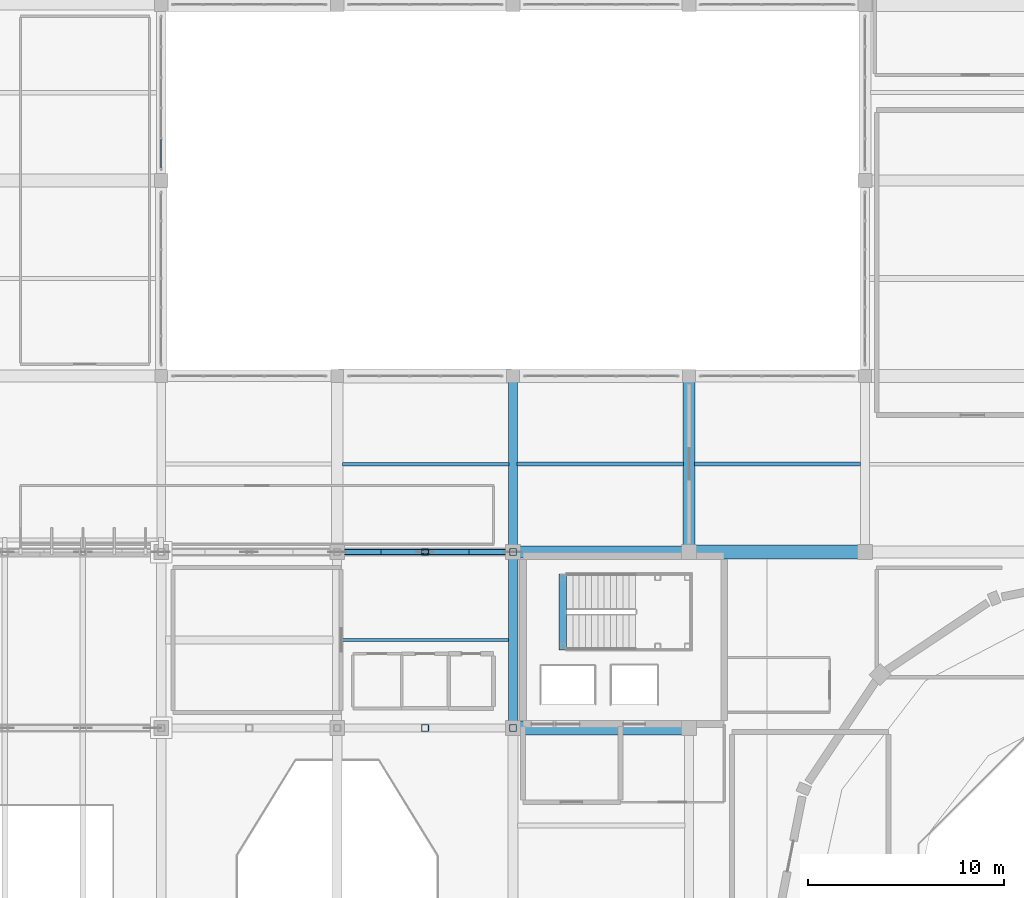
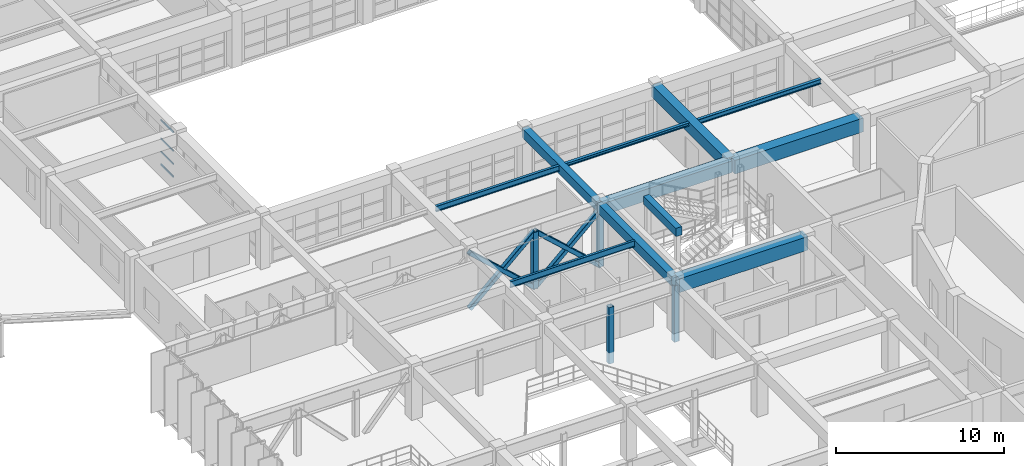
# One storey, part 52 of 130: 12 members, 11 beams, 1 element without a shape of its own.
"""IFC4 building model written with IfcOpenShell, lengths in metres."""

from ifc_helpers import new_model, si_unit, direction, frame, origin, origin_2d, place, context, subcontext, project, spatial, rectangle, hollow_rectangle, i_section, extrude, material, material_profile, profile_set, type_object, element, aggregate, save


model = new_model("IFC4")

# Units and contexts
model_context = context("Model", 3, precision=1e-05, world=origin(), true_north=direction((0.0, 1.0)))
body_context = subcontext(model_context, "Body", "Model", "MODEL_VIEW")
ifc_project = project(units=[si_unit("LENGTHUNIT", "METRE"), si_unit("AREAUNIT", "SQUARE_METRE"), si_unit("VOLUMEUNIT", "CUBIC_METRE"), si_unit("PLANEANGLEUNIT", "RADIAN"), si_unit("MASSUNIT", "GRAM", prefix="KILO")], contexts=[model_context])

# Site, building, storey
site_placement = place(None, origin())
site = spatial("IfcSite", under=ifc_project, at=site_placement, CompositionType="ELEMENT")
building_placement = place(site_placement, origin())
building = spatial("IfcBuilding", under=site, at=building_placement, Name="Miravela Opera House", CompositionType="ELEMENT")
storey_placement = place(building_placement, frame((0.0, 0.0, 9.52001953125)))
storey = spatial("IfcBuildingStorey", under=building, at=storey_placement, Name="L02", CompositionType="ELEMENT", Elevation=9.52001953125)

# Curtain wall, members
ifc_material_1 = material(Name="Anodised architectural bronze aluminium 6063-T6", Category="aluminium")
curtain_wall_type = type_object("IfcCurtainWallType", Name="ARC-CW-05", PredefinedType="NOTDEFINED", material=ifc_material_1)
curtain_wall_placement = place(storey_placement, origin())
curtain_wall = element("IfcCurtainWall", 1, at=curtain_wall_placement, inside=storey, type_object=curtain_wall_type, Name="Courtyard Arcade Curtain Wall CW-L02-098", PredefinedType="NOTDEFINED")
ifc_material_profile_1 = material_profile(ifc_material_1, hollow_rectangle(XDim=0.06005859375, YDim=0.114990234375, WallThickness=0.00390625, InnerFilletRadius=0.001953125, OuterFilletRadius=0.00390625, at=origin_2d()), Name="CWT-60X115")
ifc_profile_set_1 = profile_set([ifc_material_profile_1])
member_type_1 = type_object("IfcMemberType", Name="ARC-CWT-115", PredefinedType="USERDEFINED", material=ifc_profile_set_1)
member_1_placement = place(storey_placement, frame((27.0, 94.639892578125, 0.030029296875), z_axis=(0.0, 1.0, 0.0), x_axis=(-1.0, 0.0, 0.0)))
member_1 = element("IfcMember", 2, at=member_1_placement, type_object=member_type_1, Name="CW-05 transom 1.1", ObjectType="TRANSOM", PredefinedType="USERDEFINED", context=body_context, shape_type="SweptSolid", body=[
    extrude(hollow_rectangle(XDim=0.06005859375, YDim=0.114990234375, WallThickness=0.00390625, InnerFilletRadius=0.001953125, OuterFilletRadius=0.00390625, at=origin_2d()), origin(), (0.0, 0.0, 1.0), 1.47802734375),
])
member_2_placement = place(storey_placement, frame((27.0, 94.639892578125, 0.949951171875), z_axis=(0.0, 1.0, 0.0), x_axis=(-1.0, 0.0, 0.0)))
member_2 = element("IfcMember", 3, at=member_2_placement, type_object=member_type_1, Name="CW-05 transom 1.2", ObjectType="TRANSOM", PredefinedType="USERDEFINED", context=body_context, shape_type="SweptSolid", body=[
    extrude(hollow_rectangle(XDim=0.06005859375, YDim=0.114990234375, WallThickness=0.00390625, InnerFilletRadius=0.001953125, OuterFilletRadius=0.00390625, at=origin_2d()), origin(), (0.0, 0.0, 1.0), 1.47802734375),
])
member_3_placement = place(storey_placement, frame((27.0, 94.639892578125, 1.908203125), z_axis=(0.0, 1.0, 0.0), x_axis=(-1.0, 0.0, 0.0)))
member_3 = element("IfcMember", 4, at=member_3_placement, type_object=member_type_1, Name="CW-05 transom 1.3", ObjectType="TRANSOM", PredefinedType="USERDEFINED", context=body_context, shape_type="SweptSolid", body=[
    extrude(hollow_rectangle(XDim=0.06005859375, YDim=0.114990234375, WallThickness=0.00390625, InnerFilletRadius=0.001953125, OuterFilletRadius=0.00390625, at=origin_2d()), origin(), (0.0, 0.0, 1.0), 1.47802734375),
])
member_4_placement = place(storey_placement, frame((27.0, 94.639892578125, 3.260009765625), z_axis=(0.0, 1.0, 0.0), x_axis=(-1.0, 0.0, 0.0)))
member_4 = element("IfcMember", 5, at=member_4_placement, type_object=member_type_1, Name="CW-05 transom 1.4", ObjectType="TRANSOM", PredefinedType="USERDEFINED", context=body_context, shape_type="SweptSolid", body=[
    extrude(hollow_rectangle(XDim=0.06005859375, YDim=0.114990234375, WallThickness=0.00390625, InnerFilletRadius=0.001953125, OuterFilletRadius=0.00390625, at=origin_2d()), origin(), (0.0, 0.0, 1.0), 1.47802734375),
])
aggregate(curtain_wall, [member_1, member_2, member_3, member_4])

# Beams
ifc_material_2 = material(Name="Concrete C35/45", Category="concrete")
ifc_material_profile_2 = material_profile(ifc_material_2, rectangle(XDim=0.39990234375, YDim=0.60009765625, at=origin_2d()), Name="RC-BM-400X600")
ifc_profile_set_2 = profile_set([ifc_material_profile_2])
beam_type_1 = type_object("IfcBeamType", Name="STR-BM-RC400X600", PredefinedType="JOIST", material=ifc_profile_set_2)
beam_1_placement = place(storey_placement, frame((47.5400390625, 70.0, 3.780029296875), z_axis=(0.0, 1.0, 0.0), x_axis=(-1.0, 0.0, 0.0)))
element("IfcBeam", 6, at=beam_1_placement, inside=storey, type_object=beam_type_1, Name="Stair K1 Opening Header Trimmer Beam 03", PredefinedType="JOIST", context=body_context, shape_type="SweptSolid", body=[
    extrude(rectangle(XDim=0.39990234375, YDim=0.60009765625, at=origin_2d()), origin(), (0.0, 0.0, 1.0), 3.8798828125),
])
ifc_material_profile_3 = material_profile(ifc_material_2, rectangle(XDim=0.449951171875, YDim=0.64990234375, at=origin_2d()), Name="RC-BM-450X650")
ifc_profile_set_3 = profile_set([ifc_material_profile_3])
beam_type_2 = type_object("IfcBeamType", Name="STR-BM-RC450X650", PredefinedType="BEAM", material=ifc_profile_set_3)
beam_2_placement = place(storey_placement, frame((45.0, 75.080078125, 3.514892578125), z_axis=(0.0, 1.0, 0.0), x_axis=(-1.0, 0.0, 0.0)))
element("IfcBeam", 7, at=beam_2_placement, inside=storey, type_object=beam_type_2, Name="Floor Girder L02 6/I-J", PredefinedType="BEAM", context=body_context, shape_type="SweptSolid", body=[
    extrude(rectangle(XDim=0.449951171875, YDim=0.64990234375, at=origin_2d()), origin(), (0.0, 0.0, 1.0), 8.83984375),
])
ifc_material_profile_4 = material_profile(ifc_material_2, rectangle(XDim=0.47998046875, YDim=0.679931640625, at=origin_2d()), Name="RC-BM-480X680")
ifc_profile_set_4 = profile_set([ifc_material_profile_4])
beam_type_3 = type_object("IfcBeamType", Name="STR-BM-RC480X680", PredefinedType="BEAM", material=ifc_profile_set_4)
beam_3_placement = place(storey_placement, frame((45.0, 66.080078125, 3.5), z_axis=(0.0, 1.0, 0.0), x_axis=(-1.0, 0.0, 0.0)))
element("IfcBeam", 8, at=beam_3_placement, inside=storey, type_object=beam_type_3, Name="Floor Girder L02 6/H-I", PredefinedType="BEAM", context=body_context, shape_type="SweptSolid", body=[
    extrude(rectangle(XDim=0.47998046875, YDim=0.679931640625, at=origin_2d()), origin(), (0.0, 0.0, 1.0), 8.83984375),
])
ifc_material_3 = material(Name="Concrete C40/50", Category="concrete")
ifc_material_profile_5 = material_profile(ifc_material_3, rectangle(XDim=0.60009765625, YDim=0.85009765625, at=origin_2d()), Name="RC-BM-600X850")
ifc_profile_set_5 = profile_set([ifc_material_profile_5])
beam_type_4 = type_object("IfcBeamType", Name="STR-BM-RC600X850", PredefinedType="BEAM", material=ifc_profile_set_5)
for number, where, z_axis, x_axis, name in (
    (9, (45.080078125, 75.0, 3.4150390625), (1.0, 0.0, 0.0), (0.0, 1.0, 0.0), "Floor Girder L02 6-7/I"),
    (10, (54.0, 75.080078125, 3.4150390625), (0.0, 1.0, 0.0), (-1.0, 0.0, 0.0), "Floor Girder L02 7/I-J"),
):
    element("IfcBeam", number, at=place(storey_placement, frame(where, z_axis=z_axis, x_axis=x_axis)), inside=storey, type_object=beam_type_4, Name=name, PredefinedType="BEAM", context=body_context, shape_type="SweptSolid", body=[
        extrude(rectangle(XDim=0.60009765625, YDim=0.85009765625, at=origin_2d()), origin(), (0.0, 0.0, 1.0), 8.83984375),
    ])
ifc_material_profile_6 = material_profile(ifc_material_3, rectangle(XDim=0.699951171875, YDim=1.0, at=origin_2d()), Name="RC-BM-700X1000")
ifc_profile_set_6 = profile_set([ifc_material_profile_6])
beam_type_5 = type_object("IfcBeamType", Name="STR-BM-RC700X1000", PredefinedType="BEAM", material=ifc_profile_set_6)
for number, where, z_axis, x_axis, name in (
    (11, (45.080078125, 66.0, 3.340087890625), (1.0, 0.0, 0.0), (0.0, 1.0, 0.0), "Floor Girder L02 6-7/H"),
    (12, (54.080078125, 75.0, 3.340087890625), (1.0, 0.0, 0.0), (0.0, 1.0, 0.0), "Floor Girder L02 7-8/I"),
):
    element("IfcBeam", number, at=place(storey_placement, frame(where, z_axis=z_axis, x_axis=x_axis)), inside=storey, type_object=beam_type_5, Name=name, PredefinedType="BEAM", context=body_context, shape_type="SweptSolid", body=[
        extrude(rectangle(XDim=0.699951171875, YDim=1.0, at=origin_2d()), origin(), (0.0, 0.0, 1.0), 8.83984375),
    ])
ifc_material_4 = material(Name="Structural steel ASTM A992 Gr. 50", Category="steel")
ifc_material_profile_7 = material_profile(ifc_material_4, i_section(OverallWidth=0.201904296875, OverallDepth=0.2470703125, WebThickness=0.00732421875, FlangeThickness=0.010986328125, FilletRadius=0.011962890625, at=origin_2d()), Name="W250X49")
ifc_profile_set_7 = profile_set([ifc_material_profile_7])
beam_type_6 = type_object("IfcBeamType", Name="STR-BM-W250X49", PredefinedType="LINTEL", material=ifc_profile_set_7)
beam_4_placement = place(storey_placement, frame((45.2099609375, 79.5, 3.716552734375), z_axis=(1.0, 0.0, 0.0), x_axis=(0.0, 1.0, 0.0)))
element("IfcBeam", 13, at=beam_4_placement, inside=storey, type_object=beam_type_6, Name="Secondary Floor Joist L02 6-7/I-J", PredefinedType="LINTEL", context=body_context, shape_type="SweptSolid", body=[
    extrude(i_section(OverallWidth=0.201904296875, OverallDepth=0.2470703125, WebThickness=0.00732421875, FlangeThickness=0.010986328125, FilletRadius=0.011962890625, at=origin_2d()), origin(), (0.0, 0.0, 1.0), 8.505126953125),
])
ifc_material_profile_8 = material_profile(ifc_material_4, i_section(OverallWidth=0.2041015625, OverallDepth=0.35009765625, WebThickness=0.008544921875, FlangeThickness=0.01513671875, FilletRadius=0.013916015625, at=origin_2d()), Name="W360X72")
ifc_profile_set_8 = profile_set([ifc_material_profile_8])
beam_type_7 = type_object("IfcBeamType", Name="STR-BM-W360X72", PredefinedType="JOIST", material=ifc_profile_set_8)
beam_5_placement = place(storey_placement, frame((54.284912109375, 79.5, 3.6650390625), z_axis=(1.0, 0.0, 0.0), x_axis=(0.0, 1.0, 0.0)))
element("IfcBeam", 14, at=beam_5_placement, inside=storey, type_object=beam_type_7, Name="Secondary Floor Joist L02 7-8/I-J", PredefinedType="JOIST", context=body_context, shape_type="SweptSolid", body=[
    extrude(i_section(OverallWidth=0.2041015625, OverallDepth=0.35009765625, WebThickness=0.008544921875, FlangeThickness=0.01513671875, FilletRadius=0.013916015625, at=origin_2d()), origin(), (0.0, 0.0, 1.0), 8.489990234375),
])
ifc_material_profile_9 = material_profile(ifc_material_4, i_section(OverallWidth=0.177978515625, OverallDepth=0.406982421875, WebThickness=0.0078125, FlangeThickness=0.0126953125, FilletRadius=0.012939453125, at=origin_2d()), Name="W410X60")
ifc_profile_set_9 = profile_set([ifc_material_profile_9])
beam_type_8 = type_object("IfcBeamType", Name="STR-BM-W410X60", PredefinedType="JOIST", material=ifc_profile_set_9)
beam_6_placement = place(storey_placement, frame((36.284912109375, 79.5, 3.636474609375), z_axis=(1.0, 0.0, 0.0), x_axis=(0.0, 1.0, 0.0)))
element("IfcBeam", 15, at=beam_6_placement, inside=storey, type_object=beam_type_8, Name="Secondary Floor Joist L02 5-6/I-J", PredefinedType="JOIST", context=body_context, shape_type="SweptSolid", body=[
    extrude(i_section(OverallWidth=0.177978515625, OverallDepth=0.406982421875, WebThickness=0.0078125, FlangeThickness=0.0126953125, FilletRadius=0.012939453125, at=origin_2d()), origin(), (0.0, 0.0, 1.0), 8.505126953125),
])
ifc_material_profile_10 = material_profile(ifc_material_4, i_section(OverallWidth=0.154052734375, OverallDepth=0.458984375, WebThickness=0.009033203125, FlangeThickness=0.015380859375, FilletRadius=0.013916015625, at=origin_2d()), Name="W460X68")
ifc_profile_set_10 = profile_set([ifc_material_profile_10])
beam_type_9 = type_object("IfcBeamType", Name="STR-BM-W460X68", PredefinedType="JOIST", material=ifc_profile_set_10)
beam_7_placement = place(storey_placement, frame((36.2099609375, 70.5, 3.610595703125), z_axis=(1.0, 0.0, 0.0), x_axis=(0.0, 1.0, 0.0)))
element("IfcBeam", 16, at=beam_7_placement, inside=storey, type_object=beam_type_9, Name="Secondary Floor Joist L02 5-6/H-I", PredefinedType="JOIST", context=body_context, shape_type="SweptSolid", body=[
    extrude(i_section(OverallWidth=0.154052734375, OverallDepth=0.458984375, WebThickness=0.009033203125, FlangeThickness=0.015380859375, FilletRadius=0.013916015625, at=origin_2d()), origin(), (0.0, 0.0, 1.0), 8.56494140625),
])

# Members
ifc_material_5 = material(Name="Hollow structural steel ASTM A500 Gr. C", Category="steel")
ifc_material_profile_11 = material_profile(ifc_material_5, hollow_rectangle(XDim=0.300048828125, YDim=0.300048828125, WallThickness=0.01611328125, InnerFilletRadius=0.01611328125, OuterFilletRadius=0.031982421875, at=origin_2d()), Name="HSS300X300X16")
ifc_profile_set_11 = profile_set([ifc_material_profile_11])
member_type_2 = type_object("IfcMemberType", Name="STR-MEM-CANT-DIAG", PredefinedType="BRACE", material=ifc_profile_set_11)
for number, where, z_axis, x_axis, name in (
    (17, (36.0, 75.0, -0.81298828125), (0.7392083166, 0.0, 0.673476847909), (0.0, 1.0, 0.0), "Cantilever Truss CT-05 Perimeter Web Diagonal 6A"),
    (18, (36.0, 75.0, 3.286865234375), (0.7392083166, 0.0, -0.673476847909), (0.0, 1.0, 0.0), "Cantilever Truss CT-05 Perimeter Web Diagonal 6B"),
    (19, (40.5, 75.0, -0.81298828125), (0.7392083166, 0.0, 0.673476847909), (0.0, 1.0, 0.0), "Cantilever Truss CT-05 Perimeter Web Diagonal 7A"),
    (20, (40.5, 75.0, 3.286865234375), (0.7392083166, 0.0, -0.673476847909), (0.0, 1.0, 0.0), "Cantilever Truss CT-05 Perimeter Web Diagonal 7B"),
):
    element("IfcMember", number, at=place(storey_placement, frame(where, z_axis=z_axis, x_axis=x_axis)), inside=storey, type_object=member_type_2, Name=name, PredefinedType="BRACE", context=body_context, shape_type="SweptSolid", body=[
        extrude(hollow_rectangle(XDim=0.300048828125, YDim=0.300048828125, WallThickness=0.01611328125, InnerFilletRadius=0.01611328125, OuterFilletRadius=0.031982421875, at=origin_2d()), origin(), (0.0, 0.0, 1.0), 6.087646484375),
    ])
ifc_material_profile_12 = material_profile(ifc_material_5, hollow_rectangle(XDim=0.35009765625, YDim=0.35009765625, WallThickness=0.01611328125, InnerFilletRadius=0.01611328125, OuterFilletRadius=0.031982421875, at=origin_2d()), Name="HSS350X350X16")
ifc_profile_set_12 = profile_set([ifc_material_profile_12])
member_type_3 = type_object("IfcMemberType", Name="STR-MEM-CANT-POST", PredefinedType="POST", material=ifc_profile_set_12)
for number, where, z_axis, x_axis, name in (
    (21, (40.5, 66.0, -0.81298828125), (0.0, 0.0, 1.0), (1.0, 0.0, 0.0), "Cantilever Truss CT-04 Post X=40.5"),
    (22, (45.0, 66.0, -0.81298828125), (0.0, 0.0, 1.0), (1.0, 0.0, 0.0), "Cantilever Truss CT-04 Post X=45.0"),
    (23, (40.5, 75.0, -0.81298828125), (0.0, 0.0, 1.0), (1.0, 0.0, 0.0), "Cantilever Truss CT-05 Post X=40.5"),
    (24, (45.0, 75.0, -0.81298828125), (0.0, 0.0, 1.0), (1.0, 0.0, 0.0), "Cantilever Truss CT-05 Post X=45.0"),
):
    element("IfcMember", number, at=place(storey_placement, frame(where, z_axis=z_axis, x_axis=x_axis)), inside=storey, type_object=member_type_3, Name=name, PredefinedType="POST", context=body_context, shape_type="SweptSolid", body=[
        extrude(hollow_rectangle(XDim=0.35009765625, YDim=0.35009765625, WallThickness=0.01611328125, InnerFilletRadius=0.01611328125, OuterFilletRadius=0.031982421875, at=origin_2d()), origin(), (0.0, 0.0, 1.0), 4.099853515625),
    ])

save(model, "model.ifc")
